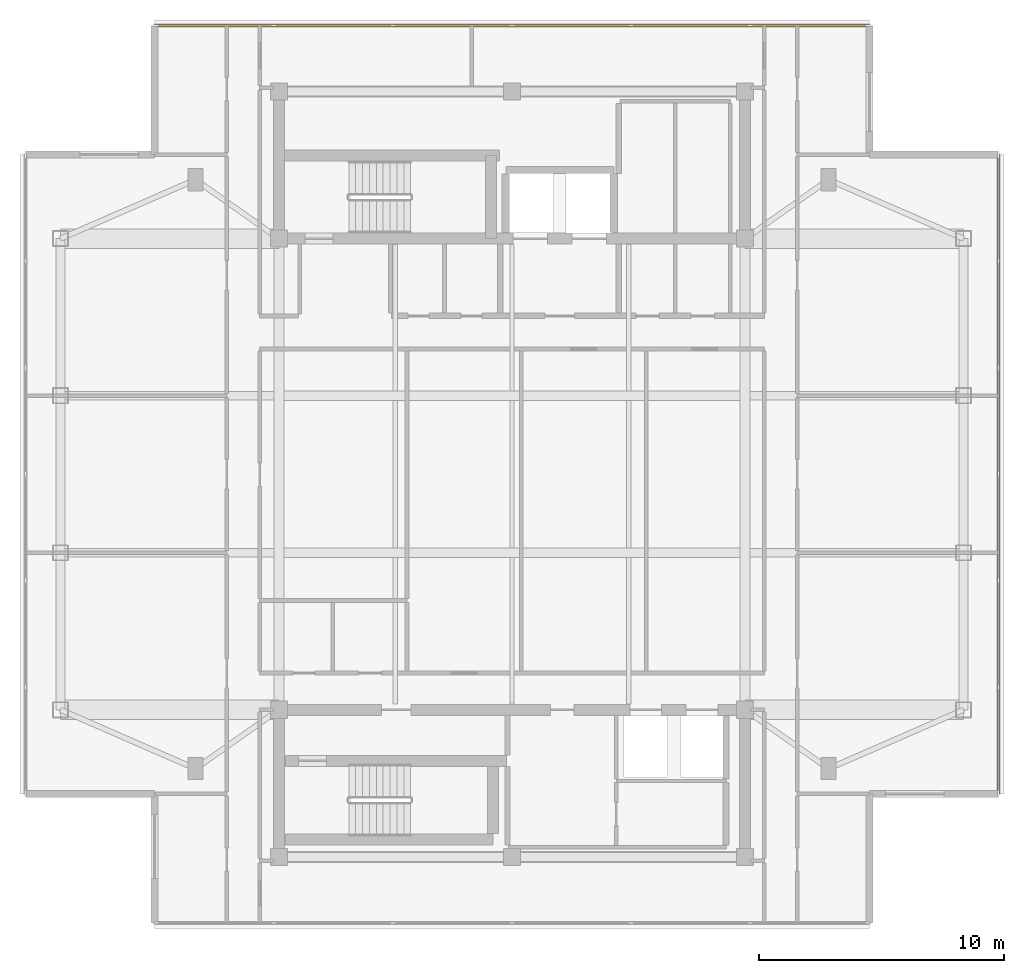
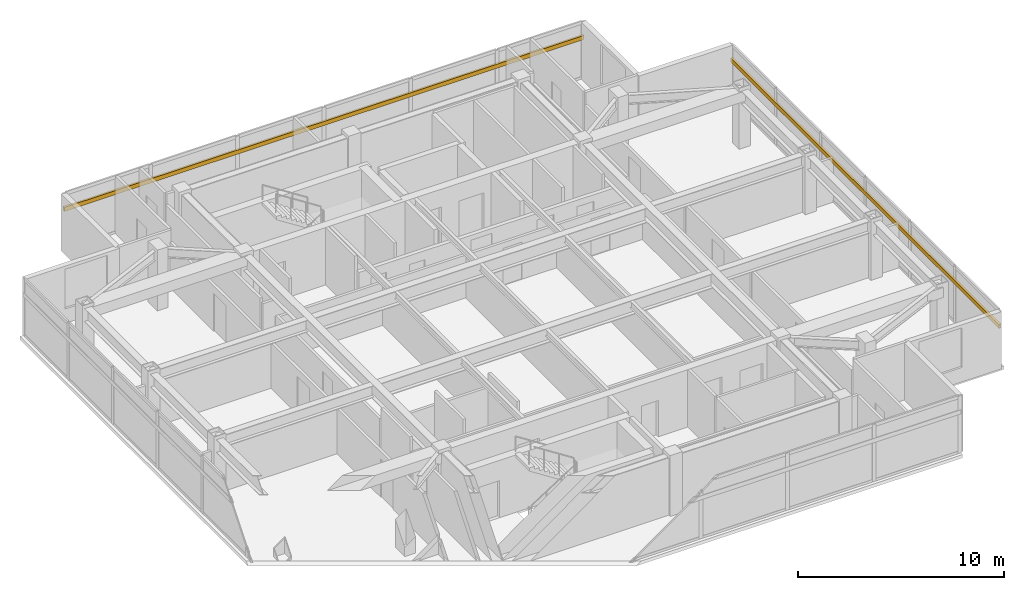
# One storey, part 10 of 10: 2 shading devices.
"""IFC4 building model written with IfcOpenShell, lengths in metres."""

from ifc_helpers import new_model, si_unit, direction, frame, origin, origin_2d, place, context, subcontext, project, spatial, rectangle, extrude, material, material_profile, profile_set, type_object, element, save


model = new_model("IFC4")

# Units and contexts
model_context = context("Model", 3, precision=1e-05, world=origin(), true_north=direction((0.0, 1.0)))
body_context = subcontext(model_context, "Body", "Model", "MODEL_VIEW")
ifc_project = project(units=[si_unit("LENGTHUNIT", "METRE"), si_unit("AREAUNIT", "SQUARE_METRE"), si_unit("VOLUMEUNIT", "CUBIC_METRE"), si_unit("PLANEANGLEUNIT", "RADIAN"), si_unit("MASSUNIT", "GRAM", prefix="KILO")], contexts=[model_context])

# Site, building, storey
site_placement = place(None, origin())
site = spatial("IfcSite", under=ifc_project, at=site_placement, CompositionType="ELEMENT")
building_placement = place(site_placement, origin())
building = spatial("IfcBuilding", under=site, at=building_placement, Name="Mirazonda Arch Towers", CompositionType="ELEMENT")
storey_placement = place(building_placement, frame((0.0, 0.0, 249.10009765625)))
storey = spatial("IfcBuildingStorey", under=building, at=storey_placement, Name="L71", CompositionType="ELEMENT", Elevation=249.10009765625)

# Shading devices
ifc_material = material(Name="Kiln-Fired Architectural Terracotta", Category="masonry")
ifc_material_profile = material_profile(ifc_material, rectangle(XDim=0.1201171875, YDim=0.239990234375, at=origin_2d()), Name="TERRA-BAG-120x240")
ifc_profile_set = profile_set([ifc_material_profile], Name="Kiln-Fired Architectural Terracotta")
shading_device_type = type_object("IfcShadingDeviceType", Name="BAGUETTE-1", PredefinedType="USERDEFINED", material=ifc_profile_set)
shading_device_1_placement = place(storey_placement, frame((40.330078125, 14.97509765625, 2.43359375), z_axis=(0.0, 1.0, 0.0), x_axis=(-1.0, 0.0, 0.0)))
element("IfcShadingDevice", 1, at=shading_device_1_placement, inside=storey, type_object=shading_device_type, Name="L71 Glazed Terracotta Sun-Screen Baguette CW-L71-T1-E", ObjectType="BAGUETTE", PredefinedType="USERDEFINED", context=body_context, shape_type="SweptSolid", body=[
    extrude(rectangle(XDim=0.1201171875, YDim=0.239990234375, at=origin_2d()), origin(), (0.0, 0.0, 1.0), 26.0498046875),
])
shading_device_2_placement = place(storey_placement, frame((5.93505859375, 46.2900390625, 2.43359375), z_axis=(1.0, 0.0, 0.0), x_axis=(0.0, 1.0, 0.0)))
element("IfcShadingDevice", 2, at=shading_device_2_placement, inside=storey, type_object=shading_device_type, Name="L71 Glazed Terracotta Sun-Screen Baguette CW-L71-T1-N", ObjectType="BAGUETTE", PredefinedType="USERDEFINED", context=body_context, shape_type="SweptSolid", body=[
    extrude(rectangle(XDim=0.1201171875, YDim=0.239990234375, at=origin_2d()), origin(), (0.0, 0.0, 1.0), 29.1298828125),
])

save(model, "model.ifc")
